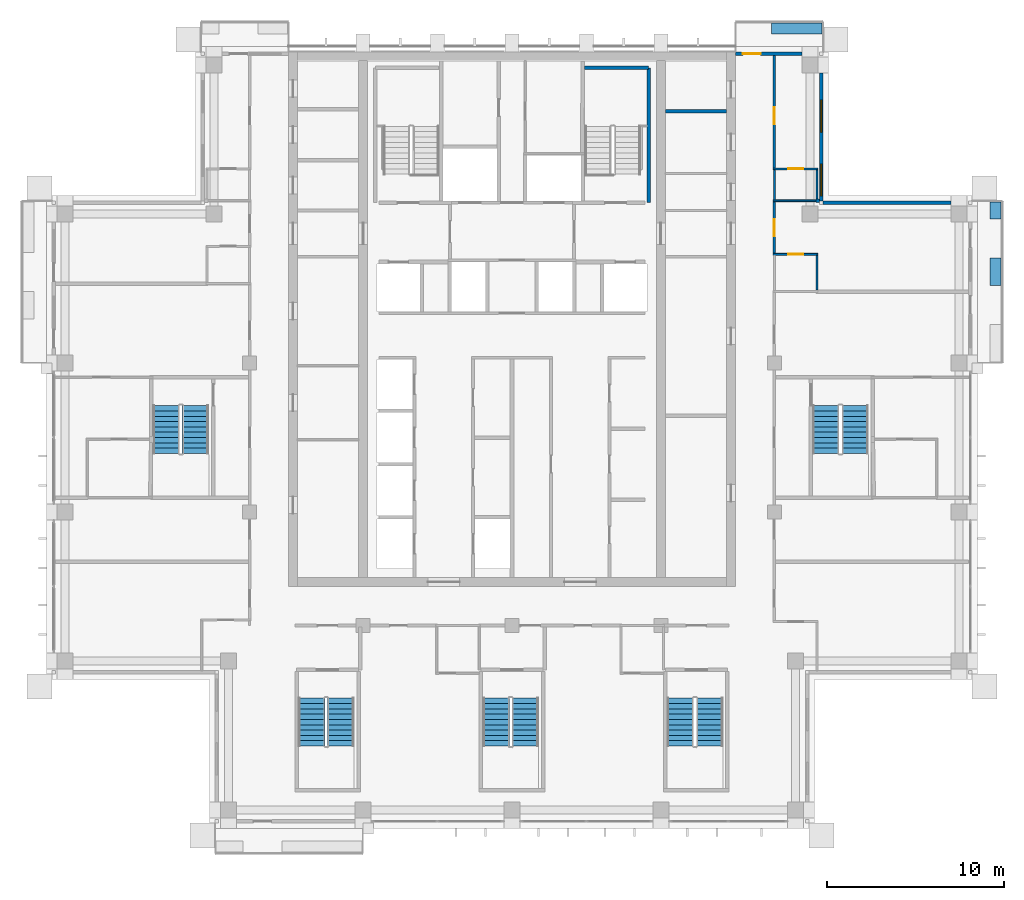
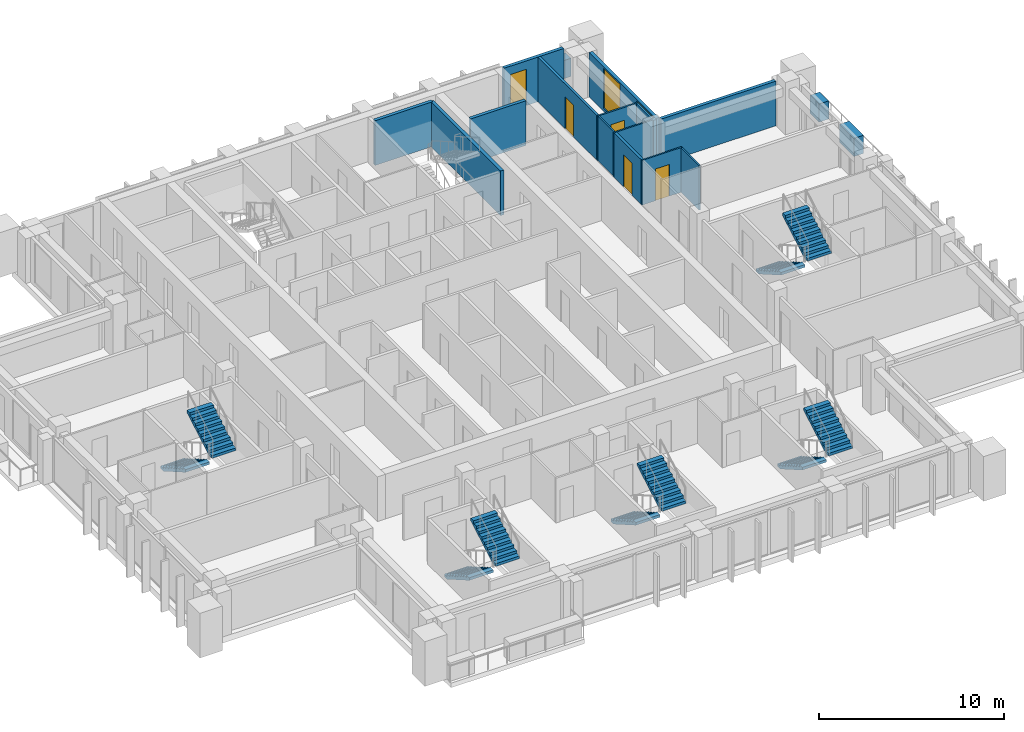
# One storey, part 13 of 18: 18 walls, 10 stair flights, 5 doors, 2 windows, 7 openings, 5 elements without a shape of their own.
"""IFC4 building model written with IfcOpenShell, lengths in metres."""

import ifcopenshell
import ifcopenshell.guid

model = None  # the IFC model being written
_history = None  # IfcOwnerHistory: only IFC2X3 demands one
_inside = {}  # id of a spatial element -> (the spatial element, [elements in it])
_under = {}  # id of a project, library or spatial element -> (it, [spatial elements below it])
_declared = {}  # id of a project -> (the project, [libraries it declares])
_typed = {}  # id of a type object -> (the type object, [elements of that type])
_made_of = {}  # id of a material, layer set ... -> (it, [elements and type objects made of it])


def new_model(schema):
    """Start an empty IFC model of exactly this schema.

    Asked for "IFC4X3", IfcOpenShell would pick the latest addendum, in which some entities
    have other attributes; the version numbers below select the first issue.
    IFC2X3 requires an IfcOwnerHistory on every rooted entity: one is made here for all.
    """
    global model, _history
    if schema == "IFC4X3":
        model = ifcopenshell.file(schema_version=(4, 3, 0, 0))
    else:
        model = ifcopenshell.file(schema=schema)
    _inside.clear()
    _under.clear()
    _declared.clear()
    _typed.clear()
    _made_of.clear()
    _history = None
    if model.schema == "IFC2X3":
        org = make("IfcOrganization", Name="unknown")
        user = make(
            "IfcPersonAndOrganization",
            ThePerson=make("IfcPerson", FamilyName="unknown"),
            TheOrganization=org,
        )
        app = make(
            "IfcApplication",
            ApplicationDeveloper=org,
            Version="unknown",
            ApplicationFullName="unknown",
            ApplicationIdentifier="unknown",
        )
        _history = make(
            "IfcOwnerHistory",
            OwningUser=user,
            OwningApplication=app,
            ChangeAction="ADDED",
            CreationDate=0,
        )
    return model


def make(cls, **values):
    """One entity of the class cls with the attributes given. An attribute that is None is left unset."""
    return model.create_entity(
        cls, **{name: value for name, value in values.items() if value is not None}
    )


def rooted(cls, **values):
    """An entity with a GlobalId (a new one), such as an element, a storey or a relation."""
    return make(cls, GlobalId=ifcopenshell.guid.new(), OwnerHistory=_history, **values)


def si_unit(unit_type, name, prefix=None):
    """IfcSIUnit, for example si_unit("LENGTHUNIT", "METRE", prefix="MILLI")."""
    return make("IfcSIUnit", UnitType=unit_type, Prefix=prefix, Name=name)


def assignment(units):
    """IfcUnitAssignment: the units of a project."""
    return None if units is None else make("IfcUnitAssignment", Units=units)


def point(xyz):
    """IfcCartesianPoint."""
    return None if xyz is None else make("IfcCartesianPoint", Coordinates=xyz)


def direction(xyz):
    """IfcDirection."""
    return None if xyz is None else make("IfcDirection", DirectionRatios=xyz)


def frame(location, z_axis=None, x_axis=None):
    """IfcAxis2Placement3D, a coordinate frame: its origin and axes. An axis left out is left unset."""
    return make(
        "IfcAxis2Placement3D",
        Location=point(location),
        Axis=direction(z_axis),
        RefDirection=direction(x_axis),
    )


def frame_2d(location, x_axis=None):
    """IfcAxis2Placement2D, a coordinate frame in the plane: its origin and x axis."""
    return make(
        "IfcAxis2Placement2D", Location=point(location), RefDirection=direction(x_axis)
    )


def origin():
    """The frame at (0, 0, 0) with its axes left unset."""
    return frame((0.0, 0.0, 0.0))


def place(relative_to, where):
    """IfcLocalPlacement: puts the frame where relative to a parent placement (None: the world)."""
    return make(
        "IfcLocalPlacement", PlacementRelTo=relative_to, RelativePlacement=where
    )


def context(
    kind, dimensions, precision=None, world=None, true_north=None, identifier=None
):
    """IfcGeometricRepresentationContext, for example the 3D "Model" context."""
    return make(
        "IfcGeometricRepresentationContext",
        ContextIdentifier=identifier,
        ContextType=kind,
        CoordinateSpaceDimension=dimensions,
        Precision=precision,
        WorldCoordinateSystem=world,
        TrueNorth=true_north,
    )


def subcontext(parent, identifier, kind, view, scale=None):
    """IfcGeometricRepresentationSubContext, for example "Body" below "Model"."""
    return make(
        "IfcGeometricRepresentationSubContext",
        ContextIdentifier=identifier,
        ContextType=kind,
        ParentContext=parent,
        TargetScale=scale,
        TargetView=view,
    )


def project(units=None, contexts=None):
    """IfcProject with its units and contexts."""
    return rooted(
        "IfcProject",
        Name="project",
        RepresentationContexts=contexts,
        UnitsInContext=assignment(units),
    )


def spatial(cls, under=None, at=None, **own):
    """A site, building, storey or space (cls), placed at a placement, below another one or the project."""
    s = rooted(cls, ObjectPlacement=at, **own)
    if under is not None:
        _under.setdefault(under.id(), (under, []))[1].append(s)
    return s


def polyline(points):
    """IfcPolyline through the points."""
    return make("IfcPolyline", Points=[point(p) for p in points])


def profile(cls, at=None, kind="AREA", **sizes):
    """A parametric profile (cls). Its sizes go by their IFC names, for example OverallWidth=200.0."""
    return make(cls, ProfileType=kind, Position=at, **sizes)


def rectangle(**sizes):
    """IfcRectangleProfileDef."""
    return profile("IfcRectangleProfileDef", **sizes)


def outline(outer, holes=None, kind="AREA"):
    """IfcArbitraryClosedProfileDef: a profile drawn as a closed curve; with holes, ...WithVoids."""
    if holes is None:
        return make("IfcArbitraryClosedProfileDef", ProfileType=kind, OuterCurve=outer)
    return make(
        "IfcArbitraryProfileDefWithVoids",
        ProfileType=kind,
        OuterCurve=outer,
        InnerCurves=holes,
    )


def extrude(swept, where, along, depth):
    """IfcExtrudedAreaSolid: the profile swept, set in the frame where, extruded along a direction by depth."""
    return make(
        "IfcExtrudedAreaSolid",
        SweptArea=swept,
        Position=where,
        ExtrudedDirection=direction(along),
        Depth=depth,
    )


def shape(context_of_items, identifier, shape_type, items):
    """IfcShapeRepresentation: the items that make up one representation, for example the "Body"."""
    return make(
        "IfcShapeRepresentation",
        ContextOfItems=context_of_items,
        RepresentationIdentifier=identifier,
        RepresentationType=shape_type,
        Items=items,
    )


def material(Name=None, Category=None):
    """IfcMaterial."""
    return make("IfcMaterial", Name=Name, Category=Category)


def layer(
    of_material, thickness, ventilated=None, Name=None, Category=None, Priority=None
):
    """IfcMaterialLayer: one layer of a wall or slab, of a material (None: an air gap)."""
    return make(
        "IfcMaterialLayer",
        Material=of_material,
        LayerThickness=thickness,
        IsVentilated=ventilated,
        Name=Name,
        Category=Category,
        Priority=Priority,
    )


def layer_set(layers, Name=None):
    """IfcMaterialLayerSet."""
    return make("IfcMaterialLayerSet", MaterialLayers=layers, LayerSetName=Name)


def made_of(thing, what):
    """Note that an element or type object is made of a material, layer set ...; save() writes the relation."""
    if what is not None:
        _made_of.setdefault(what.id(), (what, []))[1].append(thing)
    return thing


def type_object(cls, material=None, **own):
    """A type object (cls), such as IfcWallType, which elements share."""
    return made_of(rooted(cls, **own), material)


def element(
    cls,
    number,
    at=None,
    inside=None,
    cuts=None,
    type_object=None,
    material=None,
    context=None,
    identifier="Body",
    shape_type=None,
    held_by="IfcProductDefinitionShape",
    body=None,
    shapes=None,
    **own,
):
    """One element of the class cls, such as IfcWall. Its Tag is "e" and its number.

    at: its placement. inside: the storey or other place that contains it. cuts: it is an
    opening in that element (IfcRelVoidsElement). A single representation is given by context,
    identifier, shape_type and body (its items); several are given by shapes. held_by: the class
    of the entity that holds the representations. save() writes the other relations.
    """
    e = rooted(cls, Tag="e%d" % number, ObjectPlacement=at, **own)
    if body is not None:
        shapes = [shape(context, identifier, shape_type, body)]
    if shapes is not None:
        e.Representation = make(held_by, Representations=shapes)
    if inside is not None:
        _inside.setdefault(inside.id(), (inside, []))[1].append(e)
    if cuts is not None:
        rooted(
            "IfcRelVoidsElement", RelatingBuildingElement=cuts, RelatedOpeningElement=e
        )
    if type_object is not None:
        _typed.setdefault(type_object.id(), (type_object, []))[1].append(e)
    return made_of(e, material)


def fill(opening, filler):
    """IfcRelFillsElement: the door or window that sits in an opening."""
    return rooted(
        "IfcRelFillsElement",
        RelatingOpeningElement=opening,
        RelatedBuildingElement=filler,
    )


def aggregate(whole, parts):
    """IfcRelAggregates: a whole, such as a stair, and the parts it consists of."""
    return rooted("IfcRelAggregates", RelatingObject=whole, RelatedObjects=parts)


def save(model, path):
    """Write the relations noted so far, then the file.

    IfcRelAggregates (storeys below a building ...), IfcRelContainedInSpatialStructure (elements
    in a storey), IfcRelDefinesByType, IfcRelAssociatesMaterial and IfcRelDeclares: one each for
    every whole, place, type object, material and project.
    """
    for whole, parts in _under.values():
        aggregate(whole, parts)
    for where, things in _inside.values():
        rooted(
            "IfcRelContainedInSpatialStructure",
            RelatedElements=things,
            RelatingStructure=where,
        )
    for kind, things in _typed.values():
        rooted("IfcRelDefinesByType", RelatedObjects=things, RelatingType=kind)
    for what, things in _made_of.values():
        rooted("IfcRelAssociatesMaterial", RelatedObjects=things, RelatingMaterial=what)
    for by, libraries in _declared.values():
        rooted("IfcRelDeclares", RelatingContext=by, RelatedDefinitions=libraries)
    model.write(path)


model = new_model("IFC4")

# Units and contexts
model_context = context("Model", 3, precision=1e-05, world=origin(), true_north=direction((0.0, 1.0)))
body_context = subcontext(model_context, "Body", "Model", "MODEL_VIEW")
ifc_project = project(units=[si_unit("LENGTHUNIT", "METRE"), si_unit("AREAUNIT", "SQUARE_METRE"), si_unit("VOLUMEUNIT", "CUBIC_METRE"), si_unit("PLANEANGLEUNIT", "RADIAN"), si_unit("MASSUNIT", "GRAM", prefix="KILO")], contexts=[model_context])

# Site, building, storey
site_placement = place(None, origin())
site = spatial("IfcSite", under=ifc_project, at=site_placement, CompositionType="ELEMENT")
building_placement = place(site_placement, origin())
building = spatial("IfcBuilding", under=site, at=building_placement, Name="Vermilion Ogive Tower", CompositionType="ELEMENT")
storey_placement = place(building_placement, frame((0.0, 0.0, 261.39990234375)))
storey = spatial("IfcBuildingStorey", under=building, at=storey_placement, Name="L69", CompositionType="ELEMENT", Elevation=261.39990234375)

# Wall, opening, door
ifc_material_1 = material(Name="Gypsum board partition on steel studs", Category="steel")
ifc_layer_1 = layer(ifc_material_1, 0.10009765625)
ifc_layer_set_1 = layer_set([ifc_layer_1], Name="Partition 100 bath")
wall_type_1 = type_object("IfcWallType", Name="Partition 100 bath", PredefinedType="PARTITIONING", material=ifc_layer_set_1)
wall_1_placement = place(storey_placement, frame((14.72509765625, 10.330078125, 0.0), z_axis=(0.0, 0.0, 1.0), x_axis=(1.0, 0.0, 0.0)))
wall_1 = element("IfcWall", 1, at=wall_1_placement, inside=storey, type_object=wall_type_1, Name="L69-W-W031", PredefinedType="PARTITIONING", context=body_context, shape_type="SweptSolid", body=[
    extrude(rectangle(XDim=2.52490234375, YDim=0.10009765625, at=frame_2d((1.262451171875, 0.0))), origin(), (0.0, 0.0, 1.0), 2.9501953125),
])
opening_1_placement = place(wall_1_placement, frame((0.849853515625, 0.0, 0.0)))
opening_1 = element("IfcOpeningElement", 2, at=opening_1_placement, cuts=wall_1, Name="Opening D5G6020", PredefinedType="OPENING", context=body_context, shape_type="SweptSolid", body=[
    extrude(rectangle(XDim=0.85009765625, YDim=2.10009765625, at=frame_2d((0.425048828125, 1.050048828125))), frame((0.0, 0.06005859375, 0.0), z_axis=(0.0, -1.0, 0.0), x_axis=(1.0, 0.0, 0.0)), (0.0, 0.0, 1.0), 0.1201171875),
])
ifc_material_2 = material(Name="Timber door leaf", Category="wood")
door_type_1 = type_object("IfcDoorType", Name="Bath door 850 x 2100 FD30", OperationType="SINGLE_SWING_LEFT", PredefinedType="DOOR", material=ifc_material_2)
door_1_placement = place(opening_1_placement, origin())
door_1 = element("IfcDoor", 3, at=door_1_placement, inside=storey, type_object=door_type_1, Name="L69-D-D020", OperationType="SINGLE_SWING_RIGHT", OverallHeight=2.10009765625, OverallWidth=0.85009765625, PredefinedType="DOOR", context=body_context, shape_type="SweptSolid", body=[
    extrude(rectangle(XDim=0.85009765625, YDim=2.10009765625, at=frame_2d((0.425048828125, 1.050048828125))), frame((0.0, 0.02490234375, 0.0), z_axis=(0.0, -1.0, 0.0), x_axis=(1.0, 0.0, 0.0)), (0.0, 0.0, 1.0), 0.050048828125),
])
fill(opening_1, door_1)

# Wall
wall_2_placement = place(storey_placement, frame((14.72509765625, 13.35009765625, 0.0), z_axis=(0.0, 0.0, 1.0), x_axis=(1.0, 0.0, 0.0)))
element("IfcWall", 4, at=wall_2_placement, inside=storey, type_object=wall_type_1, Name="L69-W-W035", PredefinedType="PARTITIONING", context=body_context, shape_type="SweptSolid", body=[
    extrude(rectangle(XDim=2.52490234375, YDim=0.10009765625, at=frame_2d((1.262451171875, 0.0))), origin(), (0.0, 0.0, 1.0), 2.9501953125),
])

# Wall, opening, door
wall_3_placement = place(storey_placement, frame((14.72509765625, 15.14990234375, 0.0), z_axis=(0.0, 0.0, 1.0), x_axis=(1.0, 0.0, 0.0)))
wall_3 = element("IfcWall", 5, at=wall_3_placement, inside=storey, type_object=wall_type_1, Name="L69-W-W038", PredefinedType="PARTITIONING", context=body_context, shape_type="SweptSolid", body=[
    extrude(rectangle(XDim=2.52490234375, YDim=0.10009765625, at=frame_2d((1.262451171875, 0.0))), origin(), (0.0, 0.0, 1.0), 2.9501953125),
])
opening_2_placement = place(wall_3_placement, frame((0.849853515625, 0.0, 0.0)))
opening_2 = element("IfcOpeningElement", 6, at=opening_2_placement, cuts=wall_3, Name="Opening D5G6022", PredefinedType="OPENING", context=body_context, shape_type="SweptSolid", body=[
    extrude(rectangle(XDim=0.85009765625, YDim=2.10009765625, at=frame_2d((0.425048828125, 1.050048828125))), frame((0.0, 0.06005859375, 0.0), z_axis=(0.0, -1.0, 0.0), x_axis=(1.0, 0.0, 0.0)), (0.0, 0.0, 1.0), 0.1201171875),
])
door_2_placement = place(opening_2_placement, origin())
door_2 = element("IfcDoor", 7, at=door_2_placement, inside=storey, type_object=door_type_1, Name="L69-D-D022", OperationType="SINGLE_SWING_RIGHT", OverallHeight=2.10009765625, OverallWidth=0.85009765625, PredefinedType="DOOR", context=body_context, shape_type="SweptSolid", body=[
    extrude(rectangle(XDim=0.85009765625, YDim=2.10009765625, at=frame_2d((0.425048828125, 1.050048828125))), frame((0.0, 0.02490234375, 0.0), z_axis=(0.0, -1.0, 0.0), x_axis=(1.0, 0.0, 0.0)), (0.0, 0.0, 1.0), 0.050048828125),
])
fill(opening_2, door_2)

# Walls
wall_4_placement = place(storey_placement, frame((14.800048828125, 13.39990234375, 0.0), z_axis=(0.0, 0.0, 1.0), x_axis=(0.0, 1.0, 0.0)))
element("IfcWall", 8, at=wall_4_placement, inside=storey, type_object=wall_type_1, Name="L69-W-W061", PredefinedType="PARTITIONING", context=body_context, shape_type="SweptSolid", body=[
    extrude(rectangle(XDim=1.7001953125, YDim=0.10009765625, at=frame_2d((0.85009765625, 0.0))), origin(), (0.0, 0.0, 1.0), 2.9501953125),
])
wall_5_placement = place(storey_placement, frame((17.199951171875, 8.330078125, 0.0), z_axis=(0.0, 0.0, 1.0), x_axis=(0.0, 1.0, 0.0)))
element("IfcWall", 9, at=wall_5_placement, inside=storey, type_object=wall_type_1, Name="L69-W-W065", PredefinedType="PARTITIONING", context=body_context, shape_type="SweptSolid", body=[
    extrude(rectangle(XDim=1.949951171875, YDim=0.10009765625, at=frame_2d((0.97509765625, 0.0))), origin(), (0.0, 0.0, 1.0), 2.9501953125),
])
wall_6_placement = place(storey_placement, frame((17.199951171875, 13.449951171875, 0.0), z_axis=(0.0, 0.0, 1.0), x_axis=(0.0, 1.0, 0.0)))
element("IfcWall", 10, at=wall_6_placement, inside=storey, type_object=wall_type_1, Name="L69-W-W066", PredefinedType="PARTITIONING", context=body_context, shape_type="SweptSolid", body=[
    extrude(rectangle(XDim=1.650146484375, YDim=0.10009765625, at=frame_2d((0.8251953125, 0.0))), origin(), (0.0, 0.0, 1.0), 2.9501953125),
])

# Wall, opening, door
ifc_material_3 = material(Name="Gypsum board partition on steel studs", Category="steel")
ifc_layer_2 = layer(ifc_material_3, 0.14990234375)
ifc_layer_set_2 = layer_set([ifc_layer_2], Name="Partition 150 corridor")
wall_type_2 = type_object("IfcWallType", Name="Partition 150 corridor", PredefinedType="PARTITIONING", material=ifc_layer_set_2)
wall_7_placement = place(storey_placement, frame((14.800048828125, 10.3798828125, 0.0), z_axis=(0.0, 0.0, 1.0), x_axis=(0.0, 1.0, 0.0)))
wall_7 = element("IfcWall", 11, at=wall_7_placement, inside=storey, type_object=wall_type_2, Name="L69-W-W060", PredefinedType="PARTITIONING", context=body_context, shape_type="SweptSolid", body=[
    extrude(rectangle(XDim=2.920166015625, YDim=0.14990234375, at=frame_2d((1.4599609375, 0.0))), origin(), (0.0, 0.0, 1.0), 2.9501953125),
])
opening_3_placement = place(wall_7_placement, frame((0.985107421875, 0.0, 0.0)))
opening_3 = element("IfcOpeningElement", 12, at=opening_3_placement, cuts=wall_7, Name="Opening D5G6019", PredefinedType="OPENING", context=body_context, shape_type="SweptSolid", body=[
    extrude(rectangle(XDim=0.949951171875, YDim=2.10009765625, at=frame_2d((0.47509765625, 1.050048828125))), frame((0.0, 0.0849609375, 0.0), z_axis=(0.0, -1.0, 0.0), x_axis=(1.0, 0.0, 0.0)), (0.0, 0.0, 1.0), 0.169921875),
])
ifc_material_4 = material(Name="Timber door leaf", Category="wood")
door_type_2 = type_object("IfcDoorType", Name="Unit door 950 x 2100 FD30S", OperationType="SINGLE_SWING_LEFT", PredefinedType="DOOR", material=ifc_material_4)
door_3_placement = place(opening_3_placement, origin())
door_3 = element("IfcDoor", 13, at=door_3_placement, inside=storey, type_object=door_type_2, Name="L69-D-D019", OperationType="SINGLE_SWING_RIGHT", OverallHeight=2.10009765625, OverallWidth=0.949951171875, PredefinedType="DOOR", context=body_context, shape_type="SweptSolid", body=[
    extrude(rectangle(XDim=0.949951171875, YDim=2.10009765625, at=frame_2d((0.47509765625, 1.050048828125))), frame((0.0, 0.02490234375, 0.0), z_axis=(0.0, -1.0, 0.0), x_axis=(1.0, 0.0, 0.0)), (0.0, 0.0, 1.0), 0.050048828125),
])
fill(opening_3, door_3)

wall_8_placement = place(storey_placement, frame((14.800048828125, 15.199951171875, 0.0), z_axis=(0.0, 0.0, 1.0), x_axis=(0.0, 1.0, 0.0)))
wall_8 = element("IfcWall", 14, at=wall_8_placement, inside=storey, type_object=wall_type_2, Name="L69-W-W062", PredefinedType="PARTITIONING", context=body_context, shape_type="SweptSolid", body=[
    extrude(rectangle(XDim=6.35009765625, YDim=0.14990234375, at=frame_2d((3.175048828125, 0.0))), origin(), (0.0, 0.0, 1.0), 2.9501953125),
])
opening_4_placement = place(wall_8_placement, frame((2.47509765625, 0.0, 0.0)))
opening_4 = element("IfcOpeningElement", 15, at=opening_4_placement, cuts=wall_8, Name="Opening D5G6021", PredefinedType="OPENING", context=body_context, shape_type="SweptSolid", body=[
    extrude(rectangle(XDim=0.949951171875, YDim=2.10009765625, at=frame_2d((0.47509765625, 1.050048828125))), frame((0.0, 0.0849609375, 0.0), z_axis=(0.0, -1.0, 0.0), x_axis=(1.0, 0.0, 0.0)), (0.0, 0.0, 1.0), 0.169921875),
])
door_4_placement = place(opening_4_placement, origin())
door_4 = element("IfcDoor", 16, at=door_4_placement, inside=storey, type_object=door_type_2, Name="L69-D-D021", OperationType="SINGLE_SWING_LEFT", OverallHeight=2.10009765625, OverallWidth=0.949951171875, PredefinedType="DOOR", context=body_context, shape_type="SweptSolid", body=[
    extrude(rectangle(XDim=0.949951171875, YDim=2.10009765625, at=frame_2d((0.47509765625, 1.050048828125))), frame((0.0, 0.02490234375, 0.0), z_axis=(0.0, -1.0, 0.0), x_axis=(1.0, 0.0, 0.0)), (0.0, 0.0, 1.0), 0.050048828125),
])
fill(opening_4, door_4)

# Walls
ifc_material_5 = material(Name="Gypsum board partition on steel studs", Category="steel")
ifc_layer_3 = layer(ifc_material_5, 0.199951171875)
ifc_layer_set_3 = layer_set([ifc_layer_3], Name="Partition 200 party")
wall_type_3 = type_object("IfcWallType", Name="Partition 200 party", PredefinedType="PARTITIONING", material=ifc_layer_set_3)
wall_9_placement = place(storey_placement, frame((17.14990234375, 13.35009765625, 0.0), z_axis=(0.0, 0.0, 1.0), x_axis=(1.0, 0.0, 0.0)))
element("IfcWall", 17, at=wall_9_placement, inside=storey, type_object=wall_type_3, Name="L69-W-W036", PredefinedType="PARTITIONING", context=body_context, shape_type="SweptSolid", body=[
    extrude(rectangle(XDim=0.2001953125, YDim=0.199951171875, at=frame_2d((0.10009765625, 0.0))), origin(), (0.0, 0.0, 1.0), 2.9501953125),
])
wall_10_placement = place(storey_placement, frame((8.65087890625, 18.410888671875, 0.0), z_axis=(0.0, 0.0, 1.0), x_axis=(1.0, 0.0, 0.0)))
element("IfcWall", 18, at=wall_10_placement, inside=storey, type_object=wall_type_3, Name="L69-CKE-W-W005", PredefinedType="PARTITIONING", context=body_context, shape_type="SweptSolid", body=[
    extrude(rectangle(XDim=3.4482421875, YDim=0.199951171875, at=frame_2d((1.72412109375, 0.0))), origin(), (0.0, 0.0, 1.0), 2.9501953125),
])
ifc_material_6 = material(Name="Concrete B60", Category="concrete")
ifc_layer_4 = layer(ifc_material_6, 0.199951171875)
ifc_layer_set_4 = layer_set([ifc_layer_4], Name="Stair shaft wall 200 Concrete B60")
wall_type_4 = type_object("IfcWallType", Name="Stair shaft wall 200 Concrete B60", PredefinedType="SOLIDWALL", material=ifc_layer_set_4)
wall_11_placement = place(storey_placement, frame((7.699951171875, 13.25, 0.0), z_axis=(0.0, 0.0, 1.0), x_axis=(0.0, 1.0, 0.0)))
element("IfcWall", 19, at=wall_11_placement, inside=storey, type_object=wall_type_4, Name="L69-SW-R021-E1", PredefinedType="SOLIDWALL", context=body_context, shape_type="SweptSolid", body=[
    extrude(rectangle(XDim=7.60009765625, YDim=0.199951171875, at=frame_2d((3.800048828125, 0.0))), origin(), (0.0, 0.0, 1.0), 2.9501953125),
])
wall_12_placement = place(storey_placement, frame((4.10009765625, 20.85009765625, 0.0), z_axis=(0.0, 0.0, 1.0), x_axis=(1.0, 0.0, 0.0)))
element("IfcWall", 20, at=wall_12_placement, inside=storey, type_object=wall_type_4, Name="L69-SW-R021-N1", PredefinedType="SOLIDWALL", context=body_context, shape_type="SweptSolid", body=[
    extrude(rectangle(XDim=3.599853515625, YDim=0.199951171875, at=frame_2d((1.7998046875, 0.0))), origin(), (0.0, 0.0, 1.0), 2.9501953125),
])
ifc_material_7 = material(Name="Concrete B40", Category="concrete")
ifc_layer_5 = layer(ifc_material_7, 0.60009765625)
ifc_layer_set_5 = layer_set([ifc_layer_5], Name="Structural planter")
wall_type_5 = type_object("IfcWallType", Name="Structural planter", PredefinedType="USERDEFINED", material=ifc_layer_set_5)
wall_13_placement = place(storey_placement, frame((27.26806640625, 8.574951171875, -0.039794921875), z_axis=(0.0, 0.0, 1.0), x_axis=(0.0, 1.0, 0.0)))
element("IfcWall", 21, at=wall_13_placement, inside=storey, type_object=wall_type_5, Name="Planter E03A2", ObjectType="PLANTER", PredefinedType="USERDEFINED", context=body_context, shape_type="SweptSolid", body=[
    extrude(rectangle(XDim=1.550048828125, YDim=0.60009765625, at=frame_2d((0.77490234375, 0.0))), origin(), (0.0, 0.0, 1.0), 1.199951171875),
])
wall_14_placement = place(storey_placement, frame((27.26806640625, 12.324951171875, -0.039794921875), z_axis=(0.0, 0.0, 1.0), x_axis=(0.0, 1.0, 0.0)))
element("IfcWall", 22, at=wall_14_placement, inside=storey, type_object=wall_type_5, Name="Planter E03A3", ObjectType="PLANTER", PredefinedType="USERDEFINED", context=body_context, shape_type="SweptSolid", body=[
    extrude(rectangle(XDim=0.965087890625, YDim=0.60009765625, at=frame_2d((0.482421875, 0.0))), origin(), (0.0, 0.0, 1.0), 1.199951171875),
])
wall_15_placement = place(storey_placement, frame((17.489990234375, 23.068115234375, -0.039794921875), z_axis=(0.0, 0.0, 1.0), x_axis=(-1.0, 0.0, 0.0)))
element("IfcWall", 23, at=wall_15_placement, inside=storey, type_object=wall_type_5, Name="Planter N101A1", ObjectType="PLANTER", PredefinedType="USERDEFINED", context=body_context, shape_type="SweptSolid", body=[
    extrude(rectangle(XDim=2.864990234375, YDim=0.60009765625, at=frame_2d((1.4326171875, 0.0))), origin(), (0.0, 0.0, 1.0), 1.199951171875),
])
ifc_material_8 = material(Name="Aluminium window wall framing", Category="aluminium")
ifc_layer_6 = layer(ifc_material_8, 0.199951171875)
ifc_layer_set_6 = layer_set([ifc_layer_6], Name="Window wall")
wall_type_6 = type_object("IfcWallType", Name="Window wall", PredefinedType="STANDARD", material=ifc_layer_set_6)
wall_16_placement = place(storey_placement, frame((24.75, 13.25, 0.0), z_axis=(0.0, 0.0, 1.0), x_axis=(-1.0, 0.0, 0.0)))
element("IfcWall", 24, at=wall_16_placement, inside=storey, type_object=wall_type_6, Name="Window wall X31", PredefinedType="STANDARD", context=body_context, shape_type="SweptSolid", body=[
    extrude(rectangle(XDim=7.199951171875, YDim=0.199951171875, at=frame_2d((3.60009765625, 0.0))), origin(), (0.0, 0.0, 1.0), 2.9501953125),
])

# Wall, openings, windows
wall_17_placement = place(storey_placement, frame((17.449951171875, 13.35009765625, 0.0), z_axis=(0.0, 0.0, 1.0), x_axis=(0.0, 1.0, 0.0)))
wall_17 = element("IfcWall", 25, at=wall_17_placement, inside=storey, type_object=wall_type_6, Name="Window wall X41", PredefinedType="STANDARD", context=body_context, shape_type="SweptSolid", body=[
    extrude(rectangle(XDim=7.199951171875, YDim=0.199951171875, at=frame_2d((3.60009765625, 0.0))), origin(), (0.0, 0.0, 1.0), 2.9501953125),
])
opening_5_placement = place(wall_17_placement, frame((0.27490234375, 0.0, 0.199951171875)))
opening_5 = element("IfcOpeningElement", 26, at=opening_5_placement, cuts=wall_17, Name="Opening W1-X403", PredefinedType="OPENING", context=body_context, shape_type="SweptSolid", body=[
    extrude(rectangle(XDim=1.800048828125, YDim=2.64990234375, at=frame_2d((0.89990234375, 1.324951171875))), frame((0.0, 0.10986328125, 0.0), z_axis=(0.0, -1.0, 0.0), x_axis=(1.0, 0.0, 0.0)), (0.0, 0.0, 1.0), 0.219970703125),
])
opening_6_placement = place(wall_17_placement, frame((3.875, 0.0, 0.199951171875)))
opening_6 = element("IfcOpeningElement", 27, at=opening_6_placement, cuts=wall_17, Name="Opening W1-X404", PredefinedType="OPENING", context=body_context, shape_type="SweptSolid", body=[
    extrude(rectangle(XDim=1.800048828125, YDim=2.64990234375, at=frame_2d((0.89990234375, 1.324951171875))), frame((0.0, 0.10986328125, 0.0), z_axis=(0.0, -1.0, 0.0), x_axis=(1.0, 0.0, 0.0)), (0.0, 0.0, 1.0), 0.219970703125),
])
ifc_material_9 = material(Name="Aluminium framed double glazing", Category="aluminium")
window_type = type_object("IfcWindowType", Name="Guest window W1", PartitioningType="SINGLE_PANEL", PredefinedType="WINDOW", material=ifc_material_9)
window_1_placement = place(opening_5_placement, origin())
window_1 = element("IfcWindow", 28, at=window_1_placement, inside=storey, type_object=window_type, Name="Window X403", OverallHeight=2.64990234375, OverallWidth=1.800048828125, PartitioningType="SINGLE_PANEL", PredefinedType="WINDOW", context=body_context, shape_type="SweptSolid", body=[
    extrude(rectangle(XDim=1.800048828125, YDim=2.64990234375, at=frame_2d((0.89990234375, 1.324951171875))), frame((0.0, 0.030029296875, 0.0), z_axis=(0.0, -1.0, 0.0), x_axis=(1.0, 0.0, 0.0)), (0.0, 0.0, 1.0), 0.06005859375),
])
fill(opening_5, window_1)
window_2_placement = place(opening_6_placement, origin())
window_2 = element("IfcWindow", 29, at=window_2_placement, inside=storey, type_object=window_type, Name="Window X404", OverallHeight=2.64990234375, OverallWidth=1.800048828125, PartitioningType="SINGLE_PANEL", PredefinedType="WINDOW", context=body_context, shape_type="SweptSolid", body=[
    extrude(rectangle(XDim=1.800048828125, YDim=2.64990234375, at=frame_2d((0.89990234375, 1.324951171875))), frame((0.0, 0.030029296875, 0.0), z_axis=(0.0, -1.0, 0.0), x_axis=(1.0, 0.0, 0.0)), (0.0, 0.0, 1.0), 0.06005859375),
])
fill(opening_6, window_2)

# Wall, opening, door
wall_18_placement = place(storey_placement, frame((16.35009765625, 21.64990234375, 0.0), z_axis=(0.0, 0.0, 1.0), x_axis=(-1.0, 0.0, 0.0)))
wall_18 = element("IfcWall", 30, at=wall_18_placement, inside=storey, type_object=wall_type_6, Name="Window wall N11", PredefinedType="STANDARD", context=body_context, shape_type="SweptSolid", body=[
    extrude(rectangle(XDim=3.75, YDim=0.199951171875, at=frame_2d((1.875, 0.0))), origin(), (0.0, 0.0, 1.0), 2.9501953125),
])
opening_7_placement = place(wall_18_placement, frame((2.324951171875, 0.0, 0.0)))
opening_7 = element("IfcOpeningElement", 31, at=opening_7_placement, cuts=wall_18, Name="Opening D1-N103", PredefinedType="OPENING", context=body_context, shape_type="SweptSolid", body=[
    extrude(rectangle(XDim=1.0, YDim=2.39990234375, at=frame_2d((0.5, 1.199951171875))), frame((0.0, 0.10986328125, 0.0), z_axis=(0.0, -1.0, 0.0), x_axis=(1.0, 0.0, 0.0)), (0.0, 0.0, 1.0), 0.219970703125),
])
ifc_material_10 = material(Name="Aluminium framed glazed door", Category="aluminium")
door_type_3 = type_object("IfcDoorType", Name="Balcony door D1", OperationType="SINGLE_SWING_LEFT", PredefinedType="DOOR", material=ifc_material_10)
door_5_placement = place(opening_7_placement, origin())
door_5 = element("IfcDoor", 32, at=door_5_placement, inside=storey, type_object=door_type_3, Name="Balcony door N103", OperationType="SINGLE_SWING_LEFT", OverallHeight=2.39990234375, OverallWidth=1.0, PredefinedType="DOOR", context=body_context, shape_type="SweptSolid", body=[
    extrude(rectangle(XDim=1.0, YDim=2.39990234375, at=frame_2d((0.5, 1.199951171875))), frame((0.0, 0.02490234375, 0.0), z_axis=(0.0, -1.0, 0.0), x_axis=(1.0, 0.0, 0.0)), (0.0, 0.0, 1.0), 0.050048828125),
])
fill(opening_7, door_5)

# Stair, stair flights
ifc_material_11 = material(Name="Concrete B40", Category="concrete")
stair_type = type_object("IfcStairType", Name="Exit stair 1500", PredefinedType="HALF_TURN_STAIR", material=ifc_material_11)
stair_1_placement = place(storey_placement, origin())
stair_1 = element("IfcStair", 33, at=stair_1_placement, inside=storey, type_object=stair_type, Name="L69 Exit Stair ST3", PredefinedType="HALF_TURN_STAIR")
ifc_material_12 = material(Name="Concrete B40", Category="concrete")
stair_flight_type = type_object("IfcStairFlightType", Name="Stair flight 1500", PredefinedType="STRAIGHT", material=ifc_material_12)
stair_flight_1_placement = place(storey_placement, frame((-11.300048828125, -14.699951171875, 0.0), z_axis=(0.0, 0.0, 1.0), x_axis=(0.0, -1.0, 0.0)))
stair_flight_1 = element("IfcStairFlight", 34, at=stair_flight_1_placement, type_object=stair_flight_type, Name="ST3 flight 1", NumberOfRisers=10, NumberOfTreads=9, PredefinedType="STRAIGHT", RiserHeight=0.1725, TreadLength=0.3, context=body_context, shape_type="SweptSolid", body=[
    extrude(outline(polyline([(0.0, 0.0), (0.0, 0.172607421875), (0.300048828125, 0.172607421875), (0.300048828125, 0.344970703125), (0.60009765625, 0.344970703125), (0.60009765625, 0.517578125), (0.89990234375, 0.517578125), (0.89990234375, 0.68994140625), (1.199951171875, 0.68994140625), (1.199951171875, 0.862548828125), (1.5, 0.862548828125), (1.5, 1.034912109375), (1.800048828125, 1.034912109375), (1.800048828125, 1.20751953125), (2.10009765625, 1.20751953125), (2.10009765625, 1.3798828125), (2.39990234375, 1.3798828125), (2.39990234375, 1.552490234375), (2.699951171875, 1.552490234375), (2.699951171875, 1.72509765625), (2.699951171875, 1.379638671875), (0.30078125, 0.0), (0.0, 0.0)])), frame((0.0, 0.75, 0.0), z_axis=(0.0, -1.0, 0.0), x_axis=(1.0, 0.0, 0.0)), (0.0, 0.0, 1.0), 1.5),
])
stair_flight_2_placement = place(storey_placement, frame((-9.64990234375, -17.39990234375, 1.72509765625), z_axis=(0.0, 0.0, 1.0), x_axis=(0.0, 1.0, 0.0)))
stair_flight_2 = element("IfcStairFlight", 35, at=stair_flight_2_placement, type_object=stair_flight_type, Name="ST3 flight 2", NumberOfRisers=10, NumberOfTreads=9, PredefinedType="STRAIGHT", RiserHeight=0.1725, TreadLength=0.3, context=body_context, shape_type="SweptSolid", body=[
    extrude(outline(polyline([(0.0, 0.0), (0.0, 0.172607421875), (0.300048828125, 0.172607421875), (0.300048828125, 0.344970703125), (0.60009765625, 0.344970703125), (0.60009765625, 0.517578125), (0.89990234375, 0.517578125), (0.89990234375, 0.68994140625), (1.199951171875, 0.68994140625), (1.199951171875, 0.862548828125), (1.5, 0.862548828125), (1.5, 1.034912109375), (1.800048828125, 1.034912109375), (1.800048828125, 1.20751953125), (2.10009765625, 1.20751953125), (2.10009765625, 1.3798828125), (2.39990234375, 1.3798828125), (2.39990234375, 1.552490234375), (2.699951171875, 1.552490234375), (2.699951171875, 1.72509765625), (2.699951171875, 1.379638671875), (0.30078125, 0.0), (0.0, 0.0)])), frame((0.0, 0.75, 0.0), z_axis=(0.0, -1.0, 0.0), x_axis=(1.0, 0.0, 0.0)), (0.0, 0.0, 1.0), 1.5),
])
aggregate(stair_1, [stair_flight_1, stair_flight_2])

stair_2_placement = place(storey_placement, origin())
stair_2 = element("IfcStair", 36, at=stair_2_placement, inside=storey, type_object=stair_type, Name="L69 Exit Stair ST4", PredefinedType="HALF_TURN_STAIR")
stair_flight_3_placement = place(storey_placement, frame((-0.89990234375, -14.699951171875, 0.0), z_axis=(0.0, 0.0, 1.0), x_axis=(0.0, -1.0, 0.0)))
stair_flight_3 = element("IfcStairFlight", 37, at=stair_flight_3_placement, type_object=stair_flight_type, Name="ST4 flight 1", NumberOfRisers=10, NumberOfTreads=9, PredefinedType="STRAIGHT", RiserHeight=0.1725, TreadLength=0.3, context=body_context, shape_type="SweptSolid", body=[
    extrude(outline(polyline([(0.0, 0.0), (0.0, 0.172607421875), (0.300048828125, 0.172607421875), (0.300048828125, 0.344970703125), (0.60009765625, 0.344970703125), (0.60009765625, 0.517578125), (0.89990234375, 0.517578125), (0.89990234375, 0.68994140625), (1.199951171875, 0.68994140625), (1.199951171875, 0.862548828125), (1.5, 0.862548828125), (1.5, 1.034912109375), (1.800048828125, 1.034912109375), (1.800048828125, 1.20751953125), (2.10009765625, 1.20751953125), (2.10009765625, 1.3798828125), (2.39990234375, 1.3798828125), (2.39990234375, 1.552490234375), (2.699951171875, 1.552490234375), (2.699951171875, 1.72509765625), (2.699951171875, 1.379638671875), (0.30078125, 0.0), (0.0, 0.0)])), frame((0.0, 0.75, 0.0), z_axis=(0.0, -1.0, 0.0), x_axis=(1.0, 0.0, 0.0)), (0.0, 0.0, 1.0), 1.5),
])
stair_flight_4_placement = place(storey_placement, frame((0.75, -17.39990234375, 1.72509765625), z_axis=(0.0, 0.0, 1.0), x_axis=(0.0, 1.0, 0.0)))
stair_flight_4 = element("IfcStairFlight", 38, at=stair_flight_4_placement, type_object=stair_flight_type, Name="ST4 flight 2", NumberOfRisers=10, NumberOfTreads=9, PredefinedType="STRAIGHT", RiserHeight=0.1725, TreadLength=0.3, context=body_context, shape_type="SweptSolid", body=[
    extrude(outline(polyline([(0.0, 0.0), (0.0, 0.172607421875), (0.300048828125, 0.172607421875), (0.300048828125, 0.344970703125), (0.60009765625, 0.344970703125), (0.60009765625, 0.517578125), (0.89990234375, 0.517578125), (0.89990234375, 0.68994140625), (1.199951171875, 0.68994140625), (1.199951171875, 0.862548828125), (1.5, 0.862548828125), (1.5, 1.034912109375), (1.800048828125, 1.034912109375), (1.800048828125, 1.20751953125), (2.10009765625, 1.20751953125), (2.10009765625, 1.3798828125), (2.39990234375, 1.3798828125), (2.39990234375, 1.552490234375), (2.699951171875, 1.552490234375), (2.699951171875, 1.72509765625), (2.699951171875, 1.379638671875), (0.30078125, 0.0), (0.0, 0.0)])), frame((0.0, 0.75, 0.0), z_axis=(0.0, -1.0, 0.0), x_axis=(1.0, 0.0, 0.0)), (0.0, 0.0, 1.0), 1.5),
])
aggregate(stair_2, [stair_flight_3, stair_flight_4])

stair_3_placement = place(storey_placement, origin())
stair_3 = element("IfcStair", 39, at=stair_3_placement, inside=storey, type_object=stair_type, Name="L69 Exit Stair ST5", PredefinedType="HALF_TURN_STAIR")
stair_flight_5_placement = place(storey_placement, frame((9.5, -14.699951171875, 0.0), z_axis=(0.0, 0.0, 1.0), x_axis=(0.0, -1.0, 0.0)))
stair_flight_5 = element("IfcStairFlight", 40, at=stair_flight_5_placement, type_object=stair_flight_type, Name="ST5 flight 1", NumberOfRisers=10, NumberOfTreads=9, PredefinedType="STRAIGHT", RiserHeight=0.1725, TreadLength=0.3, context=body_context, shape_type="SweptSolid", body=[
    extrude(outline(polyline([(0.0, 0.0), (0.0, 0.172607421875), (0.300048828125, 0.172607421875), (0.300048828125, 0.344970703125), (0.60009765625, 0.344970703125), (0.60009765625, 0.517578125), (0.89990234375, 0.517578125), (0.89990234375, 0.68994140625), (1.199951171875, 0.68994140625), (1.199951171875, 0.862548828125), (1.5, 0.862548828125), (1.5, 1.034912109375), (1.800048828125, 1.034912109375), (1.800048828125, 1.20751953125), (2.10009765625, 1.20751953125), (2.10009765625, 1.3798828125), (2.39990234375, 1.3798828125), (2.39990234375, 1.552490234375), (2.699951171875, 1.552490234375), (2.699951171875, 1.72509765625), (2.699951171875, 1.379638671875), (0.30078125, 0.0), (0.0, 0.0)])), frame((0.0, 0.75, 0.0), z_axis=(0.0, -1.0, 0.0), x_axis=(1.0, 0.0, 0.0)), (0.0, 0.0, 1.0), 1.5),
])
stair_flight_6_placement = place(storey_placement, frame((11.14990234375, -17.39990234375, 1.72509765625), z_axis=(0.0, 0.0, 1.0), x_axis=(0.0, 1.0, 0.0)))
stair_flight_6 = element("IfcStairFlight", 41, at=stair_flight_6_placement, type_object=stair_flight_type, Name="ST5 flight 2", NumberOfRisers=10, NumberOfTreads=9, PredefinedType="STRAIGHT", RiserHeight=0.1725, TreadLength=0.3, context=body_context, shape_type="SweptSolid", body=[
    extrude(outline(polyline([(0.0, 0.0), (0.0, 0.172607421875), (0.300048828125, 0.172607421875), (0.300048828125, 0.344970703125), (0.60009765625, 0.344970703125), (0.60009765625, 0.517578125), (0.89990234375, 0.517578125), (0.89990234375, 0.68994140625), (1.199951171875, 0.68994140625), (1.199951171875, 0.862548828125), (1.5, 0.862548828125), (1.5, 1.034912109375), (1.800048828125, 1.034912109375), (1.800048828125, 1.20751953125), (2.10009765625, 1.20751953125), (2.10009765625, 1.3798828125), (2.39990234375, 1.3798828125), (2.39990234375, 1.552490234375), (2.699951171875, 1.552490234375), (2.699951171875, 1.72509765625), (2.699951171875, 1.379638671875), (0.30078125, 0.0), (0.0, 0.0)])), frame((0.0, 0.75, 0.0), z_axis=(0.0, -1.0, 0.0), x_axis=(1.0, 0.0, 0.0)), (0.0, 0.0, 1.0), 1.5),
])
aggregate(stair_3, [stair_flight_5, stair_flight_6])

stair_4_placement = place(storey_placement, origin())
stair_4 = element("IfcStair", 42, at=stair_4_placement, inside=storey, type_object=stair_type, Name="L69 Exit Stair ST8", PredefinedType="HALF_TURN_STAIR")
stair_flight_7_placement = place(storey_placement, frame((17.699951171875, 1.800048828125, 0.0), z_axis=(0.0, 0.0, 1.0), x_axis=(0.0, -1.0, 0.0)))
stair_flight_7 = element("IfcStairFlight", 43, at=stair_flight_7_placement, type_object=stair_flight_type, Name="ST8 flight 1", NumberOfRisers=10, NumberOfTreads=9, PredefinedType="STRAIGHT", RiserHeight=0.1725, TreadLength=0.3, context=body_context, shape_type="SweptSolid", body=[
    extrude(outline(polyline([(0.0, 0.0), (0.0, 0.172607421875), (0.300048828125, 0.172607421875), (0.300048828125, 0.344970703125), (0.60009765625, 0.344970703125), (0.60009765625, 0.517578125), (0.89990234375, 0.517578125), (0.89990234375, 0.68994140625), (1.199951171875, 0.68994140625), (1.199951171875, 0.862548828125), (1.5, 0.862548828125), (1.5, 1.034912109375), (1.800048828125, 1.034912109375), (1.800048828125, 1.20751953125), (2.10009765625, 1.20751953125), (2.10009765625, 1.3798828125), (2.39990234375, 1.3798828125), (2.39990234375, 1.552490234375), (2.699951171875, 1.552490234375), (2.699951171875, 1.72509765625), (2.699951171875, 1.379638671875), (0.30078125, 0.0), (0.0, 0.0)])), frame((0.0, 0.75, 0.0), z_axis=(0.0, -1.0, 0.0), x_axis=(1.0, 0.0, 0.0)), (0.0, 0.0, 1.0), 1.5),
])
stair_flight_8_placement = place(storey_placement, frame((19.35009765625, -0.89990234375, 1.72509765625), z_axis=(0.0, 0.0, 1.0), x_axis=(0.0, 1.0, 0.0)))
stair_flight_8 = element("IfcStairFlight", 44, at=stair_flight_8_placement, type_object=stair_flight_type, Name="ST8 flight 2", NumberOfRisers=10, NumberOfTreads=9, PredefinedType="STRAIGHT", RiserHeight=0.1725, TreadLength=0.3, context=body_context, shape_type="SweptSolid", body=[
    extrude(outline(polyline([(0.0, 0.0), (0.0, 0.172607421875), (0.300048828125, 0.172607421875), (0.300048828125, 0.344970703125), (0.60009765625, 0.344970703125), (0.60009765625, 0.517578125), (0.89990234375, 0.517578125), (0.89990234375, 0.68994140625), (1.199951171875, 0.68994140625), (1.199951171875, 0.862548828125), (1.5, 0.862548828125), (1.5, 1.034912109375), (1.800048828125, 1.034912109375), (1.800048828125, 1.20751953125), (2.10009765625, 1.20751953125), (2.10009765625, 1.3798828125), (2.39990234375, 1.3798828125), (2.39990234375, 1.552490234375), (2.699951171875, 1.552490234375), (2.699951171875, 1.72509765625), (2.699951171875, 1.379638671875), (0.30078125, 0.0), (0.0, 0.0)])), frame((0.0, 0.75, 0.0), z_axis=(0.0, -1.0, 0.0), x_axis=(1.0, 0.0, 0.0)), (0.0, 0.0, 1.0), 1.5),
])
aggregate(stair_4, [stair_flight_7, stair_flight_8])

stair_5_placement = place(storey_placement, origin())
stair_5 = element("IfcStair", 45, at=stair_5_placement, inside=storey, type_object=stair_type, Name="L69 Exit Stair ST9", PredefinedType="HALF_TURN_STAIR")
stair_flight_9_placement = place(storey_placement, frame((-19.5, 1.800048828125, 0.0), z_axis=(0.0, 0.0, 1.0), x_axis=(0.0, -1.0, 0.0)))
stair_flight_9 = element("IfcStairFlight", 46, at=stair_flight_9_placement, type_object=stair_flight_type, Name="ST9 flight 1", NumberOfRisers=10, NumberOfTreads=9, PredefinedType="STRAIGHT", RiserHeight=0.1725, TreadLength=0.3, context=body_context, shape_type="SweptSolid", body=[
    extrude(outline(polyline([(0.0, 0.0), (0.0, 0.172607421875), (0.300048828125, 0.172607421875), (0.300048828125, 0.344970703125), (0.60009765625, 0.344970703125), (0.60009765625, 0.517578125), (0.89990234375, 0.517578125), (0.89990234375, 0.68994140625), (1.199951171875, 0.68994140625), (1.199951171875, 0.862548828125), (1.5, 0.862548828125), (1.5, 1.034912109375), (1.800048828125, 1.034912109375), (1.800048828125, 1.20751953125), (2.10009765625, 1.20751953125), (2.10009765625, 1.3798828125), (2.39990234375, 1.3798828125), (2.39990234375, 1.552490234375), (2.699951171875, 1.552490234375), (2.699951171875, 1.72509765625), (2.699951171875, 1.379638671875), (0.30078125, 0.0), (0.0, 0.0)])), frame((0.0, 0.75, 0.0), z_axis=(0.0, -1.0, 0.0), x_axis=(1.0, 0.0, 0.0)), (0.0, 0.0, 1.0), 1.5),
])
stair_flight_10_placement = place(storey_placement, frame((-17.85009765625, -0.89990234375, 1.72509765625), z_axis=(0.0, 0.0, 1.0), x_axis=(0.0, 1.0, 0.0)))
stair_flight_10 = element("IfcStairFlight", 47, at=stair_flight_10_placement, type_object=stair_flight_type, Name="ST9 flight 2", NumberOfRisers=10, NumberOfTreads=9, PredefinedType="STRAIGHT", RiserHeight=0.1725, TreadLength=0.3, context=body_context, shape_type="SweptSolid", body=[
    extrude(outline(polyline([(0.0, 0.0), (0.0, 0.172607421875), (0.300048828125, 0.172607421875), (0.300048828125, 0.344970703125), (0.60009765625, 0.344970703125), (0.60009765625, 0.517578125), (0.89990234375, 0.517578125), (0.89990234375, 0.68994140625), (1.199951171875, 0.68994140625), (1.199951171875, 0.862548828125), (1.5, 0.862548828125), (1.5, 1.034912109375), (1.800048828125, 1.034912109375), (1.800048828125, 1.20751953125), (2.10009765625, 1.20751953125), (2.10009765625, 1.3798828125), (2.39990234375, 1.3798828125), (2.39990234375, 1.552490234375), (2.699951171875, 1.552490234375), (2.699951171875, 1.72509765625), (2.699951171875, 1.379638671875), (0.30078125, 0.0), (0.0, 0.0)])), frame((0.0, 0.75, 0.0), z_axis=(0.0, -1.0, 0.0), x_axis=(1.0, 0.0, 0.0)), (0.0, 0.0, 1.0), 1.5),
])
aggregate(stair_5, [stair_flight_9, stair_flight_10])

save(model, "model.ifc")
